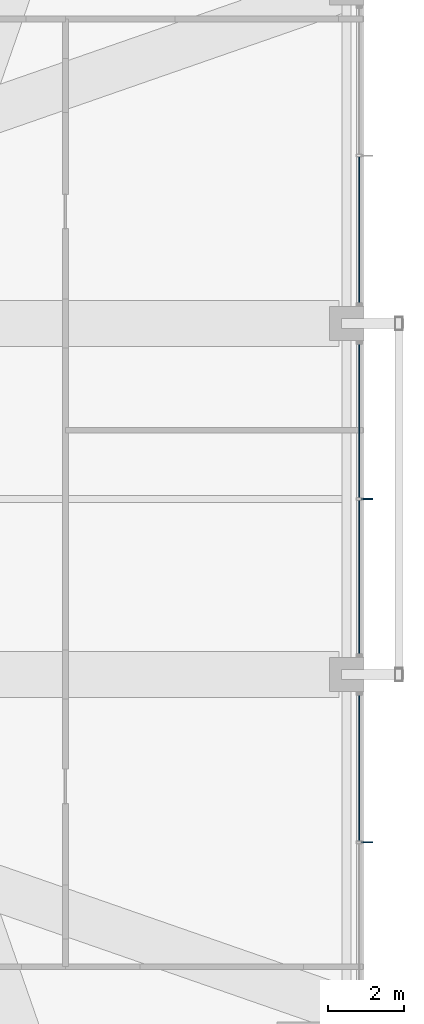
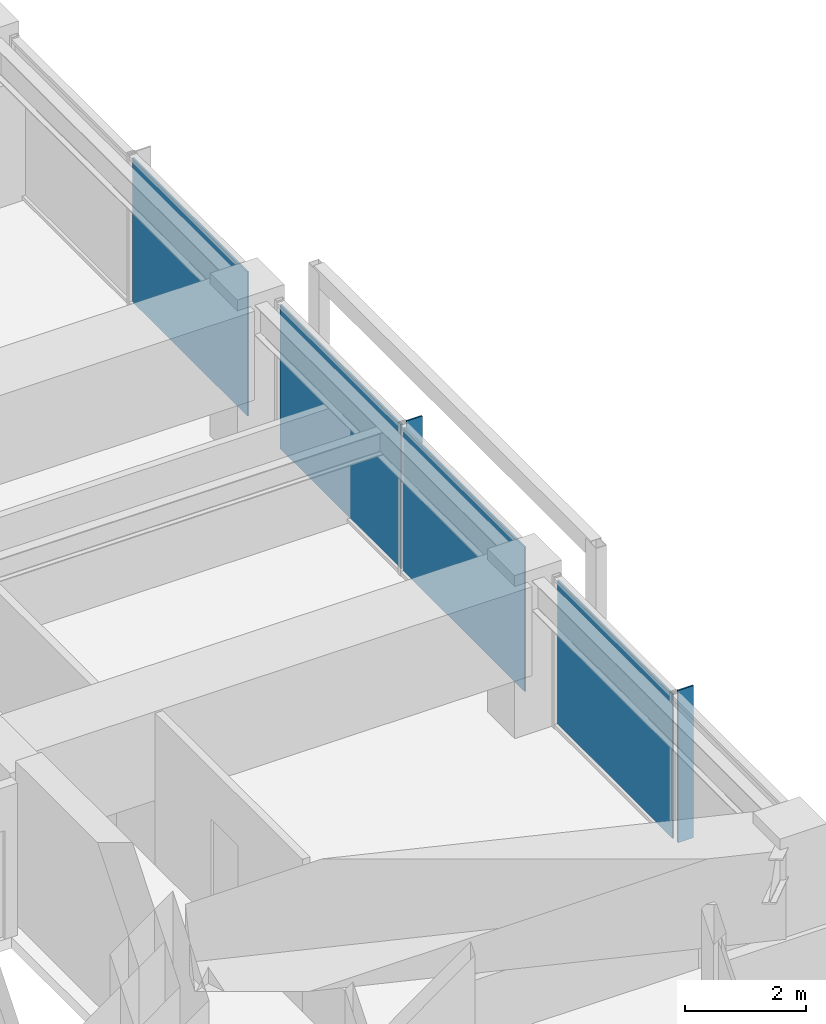
# One storey, part 28 of 37: 6 plates, 3 elements without a shape of their own.
"""IFC4 building model written with IfcOpenShell, lengths in metres."""

import ifcopenshell
import ifcopenshell.guid

model = None  # the IFC model being written
_history = None  # IfcOwnerHistory: only IFC2X3 demands one
_inside = {}  # id of a spatial element -> (the spatial element, [elements in it])
_under = {}  # id of a project, library or spatial element -> (it, [spatial elements below it])
_declared = {}  # id of a project -> (the project, [libraries it declares])
_typed = {}  # id of a type object -> (the type object, [elements of that type])
_made_of = {}  # id of a material, layer set ... -> (it, [elements and type objects made of it])


def new_model(schema):
    """Start an empty IFC model of exactly this schema.

    Asked for "IFC4X3", IfcOpenShell would pick the latest addendum, in which some entities
    have other attributes; the version numbers below select the first issue.
    IFC2X3 requires an IfcOwnerHistory on every rooted entity: one is made here for all.
    """
    global model, _history
    if schema == "IFC4X3":
        model = ifcopenshell.file(schema_version=(4, 3, 0, 0))
    else:
        model = ifcopenshell.file(schema=schema)
    _inside.clear()
    _under.clear()
    _declared.clear()
    _typed.clear()
    _made_of.clear()
    _history = None
    if model.schema == "IFC2X3":
        org = make("IfcOrganization", Name="unknown")
        user = make(
            "IfcPersonAndOrganization",
            ThePerson=make("IfcPerson", FamilyName="unknown"),
            TheOrganization=org,
        )
        app = make(
            "IfcApplication",
            ApplicationDeveloper=org,
            Version="unknown",
            ApplicationFullName="unknown",
            ApplicationIdentifier="unknown",
        )
        _history = make(
            "IfcOwnerHistory",
            OwningUser=user,
            OwningApplication=app,
            ChangeAction="ADDED",
            CreationDate=0,
        )
    return model


def make(cls, **values):
    """One entity of the class cls with the attributes given. An attribute that is None is left unset."""
    return model.create_entity(
        cls, **{name: value for name, value in values.items() if value is not None}
    )


def rooted(cls, **values):
    """An entity with a GlobalId (a new one), such as an element, a storey or a relation."""
    return make(cls, GlobalId=ifcopenshell.guid.new(), OwnerHistory=_history, **values)


def si_unit(unit_type, name, prefix=None):
    """IfcSIUnit, for example si_unit("LENGTHUNIT", "METRE", prefix="MILLI")."""
    return make("IfcSIUnit", UnitType=unit_type, Prefix=prefix, Name=name)


def assignment(units):
    """IfcUnitAssignment: the units of a project."""
    return None if units is None else make("IfcUnitAssignment", Units=units)


def point(xyz):
    """IfcCartesianPoint."""
    return None if xyz is None else make("IfcCartesianPoint", Coordinates=xyz)


def direction(xyz):
    """IfcDirection."""
    return None if xyz is None else make("IfcDirection", DirectionRatios=xyz)


def frame(location, z_axis=None, x_axis=None):
    """IfcAxis2Placement3D, a coordinate frame: its origin and axes. An axis left out is left unset."""
    return make(
        "IfcAxis2Placement3D",
        Location=point(location),
        Axis=direction(z_axis),
        RefDirection=direction(x_axis),
    )


def frame_2d(location, x_axis=None):
    """IfcAxis2Placement2D, a coordinate frame in the plane: its origin and x axis."""
    return make(
        "IfcAxis2Placement2D", Location=point(location), RefDirection=direction(x_axis)
    )


def origin():
    """The frame at (0, 0, 0) with its axes left unset."""
    return frame((0.0, 0.0, 0.0))


def origin_2d():
    """The frame at (0, 0) in the plane with its x axis left unset."""
    return frame_2d((0.0, 0.0))


def place(relative_to, where):
    """IfcLocalPlacement: puts the frame where relative to a parent placement (None: the world)."""
    return make(
        "IfcLocalPlacement", PlacementRelTo=relative_to, RelativePlacement=where
    )


def context(
    kind, dimensions, precision=None, world=None, true_north=None, identifier=None
):
    """IfcGeometricRepresentationContext, for example the 3D "Model" context."""
    return make(
        "IfcGeometricRepresentationContext",
        ContextIdentifier=identifier,
        ContextType=kind,
        CoordinateSpaceDimension=dimensions,
        Precision=precision,
        WorldCoordinateSystem=world,
        TrueNorth=true_north,
    )


def subcontext(parent, identifier, kind, view, scale=None):
    """IfcGeometricRepresentationSubContext, for example "Body" below "Model"."""
    return make(
        "IfcGeometricRepresentationSubContext",
        ContextIdentifier=identifier,
        ContextType=kind,
        ParentContext=parent,
        TargetScale=scale,
        TargetView=view,
    )


def project(units=None, contexts=None):
    """IfcProject with its units and contexts."""
    return rooted(
        "IfcProject",
        Name="project",
        RepresentationContexts=contexts,
        UnitsInContext=assignment(units),
    )


def spatial(cls, under=None, at=None, **own):
    """A site, building, storey or space (cls), placed at a placement, below another one or the project."""
    s = rooted(cls, ObjectPlacement=at, **own)
    if under is not None:
        _under.setdefault(under.id(), (under, []))[1].append(s)
    return s


def profile(cls, at=None, kind="AREA", **sizes):
    """A parametric profile (cls). Its sizes go by their IFC names, for example OverallWidth=200.0."""
    return make(cls, ProfileType=kind, Position=at, **sizes)


def rectangle(**sizes):
    """IfcRectangleProfileDef."""
    return profile("IfcRectangleProfileDef", **sizes)


def extrude(swept, where, along, depth):
    """IfcExtrudedAreaSolid: the profile swept, set in the frame where, extruded along a direction by depth."""
    return make(
        "IfcExtrudedAreaSolid",
        SweptArea=swept,
        Position=where,
        ExtrudedDirection=direction(along),
        Depth=depth,
    )


def shape(context_of_items, identifier, shape_type, items):
    """IfcShapeRepresentation: the items that make up one representation, for example the "Body"."""
    return make(
        "IfcShapeRepresentation",
        ContextOfItems=context_of_items,
        RepresentationIdentifier=identifier,
        RepresentationType=shape_type,
        Items=items,
    )


def material(Name=None, Category=None):
    """IfcMaterial."""
    return make("IfcMaterial", Name=Name, Category=Category)


def layer(
    of_material, thickness, ventilated=None, Name=None, Category=None, Priority=None
):
    """IfcMaterialLayer: one layer of a wall or slab, of a material (None: an air gap)."""
    return make(
        "IfcMaterialLayer",
        Material=of_material,
        LayerThickness=thickness,
        IsVentilated=ventilated,
        Name=Name,
        Category=Category,
        Priority=Priority,
    )


def layer_set(layers, Name=None):
    """IfcMaterialLayerSet."""
    return make("IfcMaterialLayerSet", MaterialLayers=layers, LayerSetName=Name)


def made_of(thing, what):
    """Note that an element or type object is made of a material, layer set ...; save() writes the relation."""
    if what is not None:
        _made_of.setdefault(what.id(), (what, []))[1].append(thing)
    return thing


def type_object(cls, material=None, **own):
    """A type object (cls), such as IfcWallType, which elements share."""
    return made_of(rooted(cls, **own), material)


def element(
    cls,
    number,
    at=None,
    inside=None,
    cuts=None,
    type_object=None,
    material=None,
    context=None,
    identifier="Body",
    shape_type=None,
    held_by="IfcProductDefinitionShape",
    body=None,
    shapes=None,
    **own,
):
    """One element of the class cls, such as IfcWall. Its Tag is "e" and its number.

    at: its placement. inside: the storey or other place that contains it. cuts: it is an
    opening in that element (IfcRelVoidsElement). A single representation is given by context,
    identifier, shape_type and body (its items); several are given by shapes. held_by: the class
    of the entity that holds the representations. save() writes the other relations.
    """
    e = rooted(cls, Tag="e%d" % number, ObjectPlacement=at, **own)
    if body is not None:
        shapes = [shape(context, identifier, shape_type, body)]
    if shapes is not None:
        e.Representation = make(held_by, Representations=shapes)
    if inside is not None:
        _inside.setdefault(inside.id(), (inside, []))[1].append(e)
    if cuts is not None:
        rooted(
            "IfcRelVoidsElement", RelatingBuildingElement=cuts, RelatedOpeningElement=e
        )
    if type_object is not None:
        _typed.setdefault(type_object.id(), (type_object, []))[1].append(e)
    return made_of(e, material)


def aggregate(whole, parts):
    """IfcRelAggregates: a whole, such as a stair, and the parts it consists of."""
    return rooted("IfcRelAggregates", RelatingObject=whole, RelatedObjects=parts)


def save(model, path):
    """Write the relations noted so far, then the file.

    IfcRelAggregates (storeys below a building ...), IfcRelContainedInSpatialStructure (elements
    in a storey), IfcRelDefinesByType, IfcRelAssociatesMaterial and IfcRelDeclares: one each for
    every whole, place, type object, material and project.
    """
    for whole, parts in _under.values():
        aggregate(whole, parts)
    for where, things in _inside.values():
        rooted(
            "IfcRelContainedInSpatialStructure",
            RelatedElements=things,
            RelatingStructure=where,
        )
    for kind, things in _typed.values():
        rooted("IfcRelDefinesByType", RelatedObjects=things, RelatingType=kind)
    for what, things in _made_of.values():
        rooted("IfcRelAssociatesMaterial", RelatedObjects=things, RelatingMaterial=what)
    for by, libraries in _declared.values():
        rooted("IfcRelDeclares", RelatingContext=by, RelatedDefinitions=libraries)
    model.write(path)


model = new_model("IFC4")

# Units and contexts
model_context = context("Model", 3, precision=1e-05, world=origin(), true_north=direction((0.0, 1.0)))
body_context = subcontext(model_context, "Body", "Model", "MODEL_VIEW")
ifc_project = project(units=[si_unit("LENGTHUNIT", "METRE"), si_unit("AREAUNIT", "SQUARE_METRE"), si_unit("VOLUMEUNIT", "CUBIC_METRE"), si_unit("PLANEANGLEUNIT", "RADIAN"), si_unit("MASSUNIT", "GRAM", prefix="KILO")], contexts=[model_context])

# Site, building, storey
site_placement = place(None, origin())
site = spatial("IfcSite", under=ifc_project, at=site_placement, CompositionType="ELEMENT")
building_placement = place(site_placement, origin())
building = spatial("IfcBuilding", under=site, at=building_placement, Name="Kolvaren Belvedere", CompositionType="ELEMENT")
storey_placement = place(building_placement, frame((0.0, 0.0, 186.60009765625)))
storey = spatial("IfcBuildingStorey", under=building, at=storey_placement, Name="L54", CompositionType="ELEMENT", Elevation=186.60009765625)

# Curtain wall, plate
ifc_material_1 = material(Name="Anodised pale-metal aluminium AA 6063-T6", Category="aluminium")
curtain_wall_type = type_object("IfcCurtainWallType", Name="CW-Z5-HIGH", PredefinedType="NOTDEFINED", material=ifc_material_1)
curtain_wall_1_placement = place(storey_placement, origin())
curtain_wall_1 = element("IfcCurtainWall", 1, at=curtain_wall_1_placement, inside=storey, type_object=curtain_wall_type, Name="L54 Unitised Curtain Wall FCW-L54-E-B1", PredefinedType="NOTDEFINED")
ifc_material_2 = material(Name="Low-iron triple insulated glass", Category="glass")
ifc_layer_1 = layer(ifc_material_2, 0.028076171875)
ifc_layer_set_1 = layer_set([ifc_layer_1], Name="Low-iron triple insulated glass")
plate_type_1 = type_object("IfcPlateType", Name="CW-PNL-VIS28", PredefinedType="CURTAIN_PANEL", material=ifc_layer_set_1)
plate_1_placement = place(storey_placement, frame((20.280029296875, 7.052490234375, 0.079833984375), z_axis=(0.0, 0.0, 1.0), x_axis=(0.0, -1.0, 0.0)))
plate_1 = element("IfcPlate", 2, at=plate_1_placement, type_object=plate_type_1, Name="FCW-L54-E-B1 Vision Glazing Panel 2", PredefinedType="CURTAIN_PANEL", context=body_context, shape_type="SweptSolid", body=[
    extrude(rectangle(XDim=3.81494140625, YDim=0.028076171875, at=origin_2d()), origin(), (0.0, 0.0, 1.0), 2.919921875),
])
aggregate(curtain_wall_1, [plate_1])

# Curtain wall, plates
curtain_wall_2_placement = place(storey_placement, origin())
curtain_wall_2 = element("IfcCurtainWall", 3, at=curtain_wall_2_placement, inside=storey, type_object=curtain_wall_type, Name="L54 Unitised Curtain Wall FCW-L54-E-B2", PredefinedType="NOTDEFINED")
plate_2_placement = place(storey_placement, frame((20.280029296875, 2.047607421875, 0.079833984375), z_axis=(0.0, 0.0, 1.0), x_axis=(0.0, -1.0, 0.0)))
plate_2 = element("IfcPlate", 4, at=plate_2_placement, type_object=plate_type_1, Name="FCW-L54-E-B2 Vision Glazing Panel 1", PredefinedType="CURTAIN_PANEL", context=body_context, shape_type="SweptSolid", body=[
    extrude(rectangle(XDim=4.014892578125, YDim=0.028076171875, at=origin_2d()), origin(), (0.0, 0.0, 1.0), 2.919921875),
])
plate_3_placement = place(storey_placement, frame((20.280029296875, -2.047607421875, 0.079833984375), z_axis=(0.0, 0.0, 1.0), x_axis=(0.0, -1.0, 0.0)))
plate_3 = element("IfcPlate", 5, at=plate_3_placement, type_object=plate_type_1, Name="FCW-L54-E-B2 Vision Glazing Panel 2", PredefinedType="CURTAIN_PANEL", context=body_context, shape_type="SweptSolid", body=[
    extrude(rectangle(XDim=4.014892578125, YDim=0.028076171875, at=origin_2d()), origin(), (0.0, 0.0, 1.0), 2.919921875),
])
aggregate(curtain_wall_2, [plate_2, plate_3])

# Curtain wall, plate
curtain_wall_3_placement = place(storey_placement, origin())
curtain_wall_3 = element("IfcCurtainWall", 6, at=curtain_wall_3_placement, inside=storey, type_object=curtain_wall_type, Name="L54 Unitised Curtain Wall FCW-L54-E-B3", PredefinedType="NOTDEFINED")
plate_4_placement = place(storey_placement, frame((20.280029296875, -7.052490234375, 0.079833984375), z_axis=(0.0, 0.0, 1.0), x_axis=(0.0, -1.0, 0.0)))
plate_4 = element("IfcPlate", 7, at=plate_4_placement, type_object=plate_type_1, Name="FCW-L54-E-B3 Vision Glazing Panel 1", PredefinedType="CURTAIN_PANEL", context=body_context, shape_type="SweptSolid", body=[
    extrude(rectangle(XDim=3.81494140625, YDim=0.028076171875, at=origin_2d()), origin(), (0.0, 0.0, 1.0), 2.919921875),
])
aggregate(curtain_wall_3, [plate_4])

# Plates
ifc_material_3 = material(Name="Anodised pale-metal aluminium AA 6063-T6", Category="aluminium")
ifc_layer_2 = layer(ifc_material_3, 0.030029296875)
ifc_layer_set_2 = layer_set([ifc_layer_2], Name="Anodised pale-metal aluminium AA 6063-T6")
plate_type_2 = type_object("IfcPlateType", Name="FIN-VERT-300", PredefinedType="USERDEFINED", material=ifc_layer_set_2)
for number, where, z_axis, x_axis, name in (
    (8, (20.489990234375, 0.0, -0.000244140625), (0.0, 0.0, 1.0), (1.0, 0.0, 0.0), "L54 Pale-Metal Vertical Shading Fin FCW-L54-E-B2-1"),
    (9, (20.489990234375, -9.0, -0.000244140625), (0.0, 0.0, 1.0), (1.0, 0.0, 0.0), "L54 Pale-Metal Vertical Shading Fin FCW-L54-E-B3-1"),
):
    element("IfcPlate", number, at=place(storey_placement, frame(where, z_axis=z_axis, x_axis=x_axis)), inside=storey, type_object=plate_type_2, Name=name, ObjectType="VERTICAL FIN", PredefinedType="USERDEFINED", context=body_context, shape_type="SweptSolid", body=[
        extrude(rectangle(XDim=0.300048828125, YDim=0.030029296875, at=origin_2d()), origin(), (0.0, 0.0, 1.0), 3.080078125),
    ])

save(model, "model.ifc")
